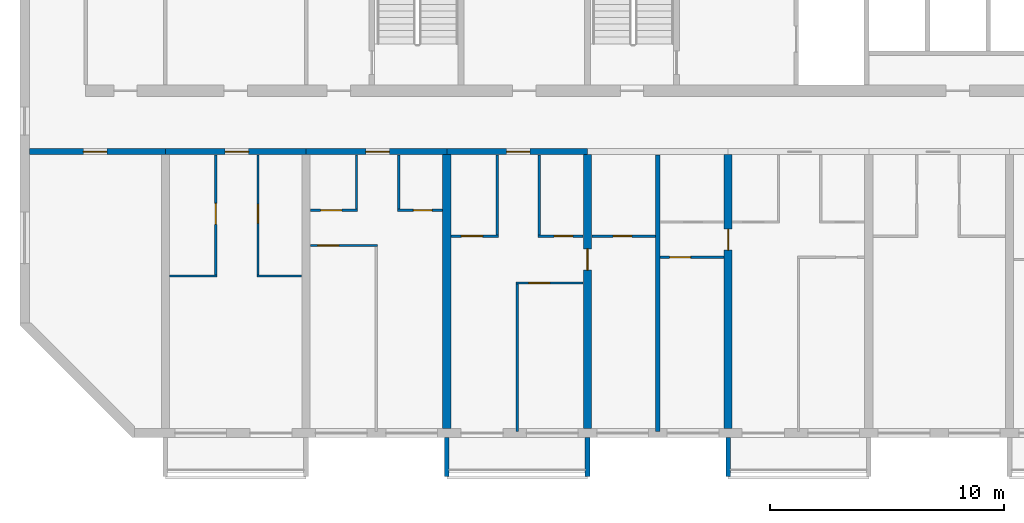
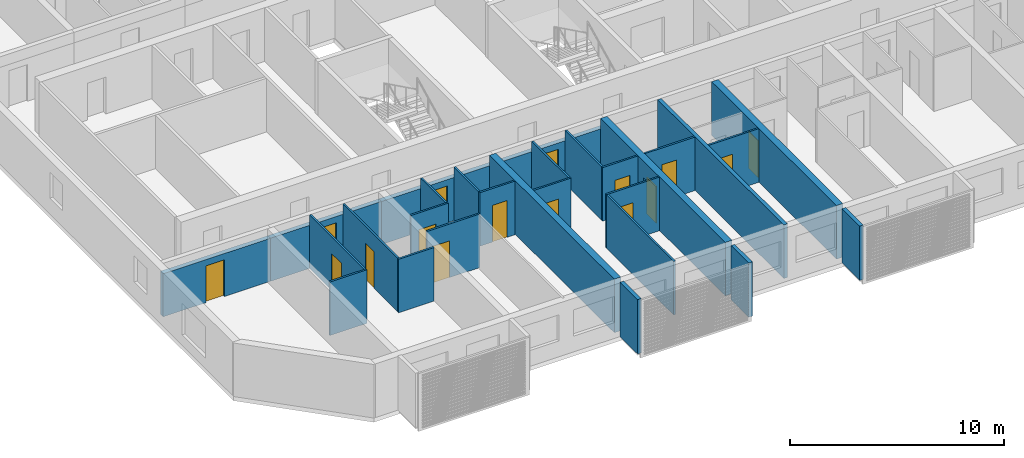
# One storey, part 2 of 29: 28 walls, 16 doors, 16 openings.
"""IFC4 building model written with IfcOpenShell, lengths in metres."""

from ifc_helpers import new_model, si_unit, direction, frame, frame_2d, origin, place, context, subcontext, project, spatial, polyline, rectangle, outline, extrude, source, transform, mapped, material, layer, layer_set, type_object, element, fill, save


model = new_model("IFC4")

# Units and contexts
model_context = context("Model", 3, precision=1e-05, world=origin(), true_north=direction((0.0, 1.0)))
body_context = subcontext(model_context, "Body", "Model", "MODEL_VIEW")
ifc_project = project(units=[si_unit("LENGTHUNIT", "METRE"), si_unit("AREAUNIT", "SQUARE_METRE"), si_unit("VOLUMEUNIT", "CUBIC_METRE"), si_unit("PLANEANGLEUNIT", "RADIAN"), si_unit("MASSUNIT", "GRAM", prefix="KILO")], contexts=[model_context])

# Site, building, storey
site_placement = place(None, origin())
site = spatial("IfcSite", under=ifc_project, at=site_placement, CompositionType="ELEMENT")
building_placement = place(site_placement, origin())
building = spatial("IfcBuilding", under=site, at=building_placement, Name="Poui Terraces", CompositionType="ELEMENT")
storey_placement = place(building_placement, frame((0.0, 0.0, 86.10009765625)))
storey = spatial("IfcBuildingStorey", under=building, at=storey_placement, Name="L23", CompositionType="ELEMENT", Elevation=86.10009765625)

# Wall, opening, door
ifc_material_1 = material(Name="Concrete 65 MPa", Category="concrete")
ifc_layer_1 = layer(ifc_material_1, 0.25)
ifc_layer_set_1 = layer_set([ifc_layer_1], Name="Concrete 65 MPa")
wall_type_1 = type_object("IfcWallType", Name="CORRIDOR WALL 250 65MPa", PredefinedType="SHEAR", material=ifc_layer_set_1)
wall_1_placement = place(storey_placement, frame((6.199951171875, 12.0, 0.0), z_axis=(0.0, 0.0, 1.0), x_axis=(1.0, 0.0, 0.0)))
wall_1 = element("IfcWall", 1, at=wall_1_placement, inside=storey, type_object=wall_type_1, Name="CORRIDOR WALL LINE B BAY 1", PredefinedType="SHEAR", context=body_context, shape_type="SweptSolid", body=[
    extrude(rectangle(XDim=5.800048828125, YDim=0.25, at=frame_2d((2.89990234375, 0.0))), origin(), (0.0, 0.0, 1.0), 2.4599609375),
])
opening_1_placement = place(wall_1_placement, frame((2.300048828125, 0.0, 0.0)))
opening_1 = element("IfcOpeningElement", 2, at=opening_1_placement, cuts=wall_1, Name="Opening D100", PredefinedType="OPENING", context=body_context, shape_type="SweptSolid", body=[
    extrude(rectangle(XDim=1.0, YDim=2.10009765625, at=frame_2d((0.5, 1.050048828125))), frame((0.0, 0.135009765625, 0.0), z_axis=(0.0, -1.0, 0.0), x_axis=(1.0, 0.0, 0.0)), (0.0, 0.0, 1.0), 0.27001953125),
])
ifc_material_2 = material(Name="Solid core timber door", Category="wood")
door_type_1 = type_object("IfcDoorType", Name="ACCESSIBLE INTERNAL DOOR 1000 X 2100", OperationType="NOTDEFINED", PredefinedType="DOOR", material=ifc_material_2)
door_1_placement = place(opening_1_placement, frame((1.0, 0.0, 0.0), z_axis=(0.0, 0.0, 1.0), x_axis=(-1.0, 0.0, 0.0)))
door_1 = element("IfcDoor", 3, at=door_1_placement, inside=storey, type_object=door_type_1, Name="ACCESSIBLE INTERNAL DOOR 085", OperationType="SINGLE_SWING_RIGHT", OverallHeight=2.10009765625, OverallWidth=1.0, PredefinedType="DOOR", context=body_context, shape_type="SweptSolid", body=[
    extrude(rectangle(XDim=1.0, YDim=2.10009765625, at=frame_2d((0.5, 1.050048828125))), frame((0.0, 0.02490234375, 0.0), z_axis=(0.0, -1.0, 0.0), x_axis=(1.0, 0.0, 0.0)), (0.0, 0.0, 1.0), 0.050048828125),
])
fill(opening_1, door_1)

wall_2_placement = place(storey_placement, frame((12.0, 12.0, 0.0), z_axis=(0.0, 0.0, 1.0), x_axis=(1.0, 0.0, 0.0)))
wall_2 = element("IfcWall", 4, at=wall_2_placement, inside=storey, type_object=wall_type_1, Name="CORRIDOR WALL LINE B BAY 2", PredefinedType="SHEAR", context=body_context, shape_type="SweptSolid", body=[
    extrude(rectangle(XDim=6.0, YDim=0.25, at=frame_2d((3.0, 0.0))), origin(), (0.0, 0.0, 1.0), 2.4599609375),
])
opening_2_placement = place(wall_2_placement, frame((2.550048828125, 0.0, 0.0)))
opening_2 = element("IfcOpeningElement", 5, at=opening_2_placement, cuts=wall_2, Name="Opening FD30S", PredefinedType="OPENING", context=body_context, shape_type="SweptSolid", body=[
    extrude(rectangle(XDim=1.0, YDim=2.10009765625, at=frame_2d((0.5, 1.050048828125))), frame((0.0, 0.135009765625, 0.0), z_axis=(0.0, -1.0, 0.0), x_axis=(1.0, 0.0, 0.0)), (0.0, 0.0, 1.0), 0.27001953125),
])
ifc_material_3 = material(Name="Steel fire door", Category="steel")
door_type_2 = type_object("IfcDoorType", Name="FLAT ENTRANCE DOOR 1000 X 2100", OperationType="NOTDEFINED", PredefinedType="DOOR", material=ifc_material_3)
door_2_placement = place(opening_2_placement, frame((1.0, 0.0, 0.0), z_axis=(0.0, 0.0, 1.0), x_axis=(-1.0, 0.0, 0.0)))
door_2 = element("IfcDoor", 6, at=door_2_placement, inside=storey, type_object=door_type_2, Name="FLAT ENTRANCE DOOR 087", OperationType="SINGLE_SWING_LEFT", OverallHeight=2.10009765625, OverallWidth=1.0, PredefinedType="DOOR", context=body_context, shape_type="SweptSolid", body=[
    extrude(rectangle(XDim=1.0, YDim=2.10009765625, at=frame_2d((0.5, 1.050048828125))), frame((0.0, 0.02490234375, 0.0), z_axis=(0.0, -1.0, 0.0), x_axis=(1.0, 0.0, 0.0)), (0.0, 0.0, 1.0), 0.050048828125),
])
fill(opening_2, door_2)

wall_3_placement = place(storey_placement, frame((18.0, 12.0, 0.0), z_axis=(0.0, 0.0, 1.0), x_axis=(1.0, 0.0, 0.0)))
wall_3 = element("IfcWall", 7, at=wall_3_placement, inside=storey, type_object=wall_type_1, Name="CORRIDOR WALL LINE B BAY 3", PredefinedType="SHEAR", context=body_context, shape_type="SweptSolid", body=[
    extrude(rectangle(XDim=6.0, YDim=0.25, at=frame_2d((3.0, 0.0))), origin(), (0.0, 0.0, 1.0), 2.4599609375),
])
opening_3_placement = place(wall_3_placement, frame((2.550048828125, 0.0, 0.0)))
opening_3 = element("IfcOpeningElement", 8, at=opening_3_placement, cuts=wall_3, Name="Opening FD30S", PredefinedType="OPENING", context=body_context, shape_type="SweptSolid", body=[
    extrude(rectangle(XDim=1.0, YDim=2.10009765625, at=frame_2d((0.5, 1.050048828125))), frame((0.0, 0.135009765625, 0.0), z_axis=(0.0, -1.0, 0.0), x_axis=(1.0, 0.0, 0.0)), (0.0, 0.0, 1.0), 0.27001953125),
])
door_3_placement = place(opening_3_placement, frame((1.0, 0.0, 0.0), z_axis=(0.0, 0.0, 1.0), x_axis=(-1.0, 0.0, 0.0)))
door_3 = element("IfcDoor", 9, at=door_3_placement, inside=storey, type_object=door_type_2, Name="FLAT ENTRANCE DOOR 091", OperationType="SINGLE_SWING_LEFT", OverallHeight=2.10009765625, OverallWidth=1.0, PredefinedType="DOOR", context=body_context, shape_type="SweptSolid", body=[
    extrude(rectangle(XDim=1.0, YDim=2.10009765625, at=frame_2d((0.5, 1.050048828125))), frame((0.0, 0.02490234375, 0.0), z_axis=(0.0, -1.0, 0.0), x_axis=(1.0, 0.0, 0.0)), (0.0, 0.0, 1.0), 0.050048828125),
])
fill(opening_3, door_3)

wall_4_placement = place(storey_placement, frame((24.0, 12.0, 0.0), z_axis=(0.0, 0.0, 1.0), x_axis=(1.0, 0.0, 0.0)))
wall_4 = element("IfcWall", 10, at=wall_4_placement, inside=storey, type_object=wall_type_1, Name="CORRIDOR WALL LINE B BAY 4", PredefinedType="SHEAR", context=body_context, shape_type="SweptSolid", body=[
    extrude(rectangle(XDim=6.0, YDim=0.25, at=frame_2d((3.0, 0.0))), origin(), (0.0, 0.0, 1.0), 2.4599609375),
])
opening_4_placement = place(wall_4_placement, frame((2.550048828125, 0.0, 0.0)))
opening_4 = element("IfcOpeningElement", 11, at=opening_4_placement, cuts=wall_4, Name="Opening FD30S", PredefinedType="OPENING", context=body_context, shape_type="SweptSolid", body=[
    extrude(rectangle(XDim=1.0, YDim=2.10009765625, at=frame_2d((0.5, 1.050048828125))), frame((0.0, 0.135009765625, 0.0), z_axis=(0.0, -1.0, 0.0), x_axis=(1.0, 0.0, 0.0)), (0.0, 0.0, 1.0), 0.27001953125),
])
door_4_placement = place(opening_4_placement, frame((1.0, 0.0, 0.0), z_axis=(0.0, 0.0, 1.0), x_axis=(-1.0, 0.0, 0.0)))
door_4 = element("IfcDoor", 12, at=door_4_placement, inside=storey, type_object=door_type_2, Name="FLAT ENTRANCE DOOR 095", OperationType="SINGLE_SWING_LEFT", OverallHeight=2.10009765625, OverallWidth=1.0, PredefinedType="DOOR", context=body_context, shape_type="SweptSolid", body=[
    extrude(rectangle(XDim=1.0, YDim=2.10009765625, at=frame_2d((0.5, 1.050048828125))), frame((0.0, 0.02490234375, 0.0), z_axis=(0.0, -1.0, 0.0), x_axis=(1.0, 0.0, 0.0)), (0.0, 0.0, 1.0), 0.050048828125),
])
fill(opening_4, door_4)

# Wall
ifc_layer_2 = layer(ifc_material_1, 0.35009765625)
ifc_layer_set_2 = layer_set([ifc_layer_2], Name="Concrete 65 MPa")
wall_type_2 = type_object("IfcWallType", Name="CROSS WALL 350 65MPa", PredefinedType="SHEAR", material=ifc_layer_set_2)
wall_5_placement = place(storey_placement, frame((24.0, 0.199951171875, 0.0), z_axis=(0.0, 0.0, 1.0), x_axis=(0.0, 1.0, 0.0)))
element("IfcWall", 13, at=wall_5_placement, inside=storey, type_object=wall_type_2, Name="CROSS WALL LINE 5 SOUTH", PredefinedType="SHEAR", context=body_context, shape_type="SweptSolid", body=[
    extrude(rectangle(XDim=11.675048828125, YDim=0.35009765625, at=frame_2d((5.83740234375, 0.0))), origin(), (0.0, 0.0, 1.0), 3.059814453125),
])

# Wall, opening, door
wall_6_placement = place(storey_placement, frame((30.0, 0.199951171875, 0.0), z_axis=(0.0, 0.0, 1.0), x_axis=(0.0, 1.0, 0.0)))
wall_6 = element("IfcWall", 14, at=wall_6_placement, inside=storey, type_object=wall_type_2, Name="CROSS WALL LINE 6 SOUTH", PredefinedType="SHEAR", context=body_context, shape_type="SweptSolid", body=[
    extrude(rectangle(XDim=11.675048828125, YDim=0.35009765625, at=frame_2d((5.83740234375, 0.0))), origin(), (0.0, 0.0, 1.0), 3.059814453125),
])
opening_5_placement = place(wall_6_placement, frame((6.75, 0.0, 0.0)))
opening_5 = element("IfcOpeningElement", 15, at=opening_5_placement, cuts=wall_6, Name="Opening D90", PredefinedType="OPENING", context=body_context, shape_type="SweptSolid", body=[
    extrude(rectangle(XDim=0.89990234375, YDim=2.10009765625, at=frame_2d((0.449951171875, 1.050048828125))), frame((0.0, 0.18505859375, 0.0), z_axis=(0.0, -1.0, 0.0), x_axis=(1.0, 0.0, 0.0)), (0.0, 0.0, 1.0), 0.3701171875),
])
door_type_3 = type_object("IfcDoorType", Name="INTERNAL DOOR 900 X 2100", OperationType="NOTDEFINED", PredefinedType="DOOR", material=ifc_material_2)
door_5_placement = place(opening_5_placement, frame((0.89990234375, 0.0, 0.0), z_axis=(0.0, 0.0, 1.0), x_axis=(-1.0, 0.0, 0.0)))
door_5 = element("IfcDoor", 16, at=door_5_placement, inside=storey, type_object=door_type_3, Name="INTERNAL DOOR 098", OperationType="SINGLE_SWING_LEFT", OverallHeight=2.10009765625, OverallWidth=0.89990234375, PredefinedType="DOOR", context=body_context, shape_type="SweptSolid", body=[
    extrude(rectangle(XDim=0.89990234375, YDim=2.10009765625, at=frame_2d((0.449951171875, 1.050048828125))), frame((0.0, 0.02490234375, 0.0), z_axis=(0.0, -1.0, 0.0), x_axis=(1.0, 0.0, 0.0)), (0.0, 0.0, 1.0), 0.050048828125),
])
fill(opening_5, door_5)

wall_7_placement = place(storey_placement, frame((36.0, 0.199951171875, 0.0), z_axis=(0.0, 0.0, 1.0), x_axis=(0.0, 1.0, 0.0)))
wall_7 = element("IfcWall", 17, at=wall_7_placement, inside=storey, type_object=wall_type_2, Name="CROSS WALL LINE 7 SOUTH", PredefinedType="SHEAR", context=body_context, shape_type="SweptSolid", body=[
    extrude(rectangle(XDim=11.675048828125, YDim=0.35009765625, at=frame_2d((5.83740234375, 0.0))), origin(), (0.0, 0.0, 1.0), 3.059814453125),
])
opening_6_placement = place(wall_7_placement, frame((7.60009765625, 0.0, 0.0)))
opening_6 = element("IfcOpeningElement", 18, at=opening_6_placement, cuts=wall_7, Name="Opening D90", PredefinedType="OPENING", context=body_context, shape_type="SweptSolid", body=[
    extrude(rectangle(XDim=0.89990234375, YDim=2.10009765625, at=frame_2d((0.449951171875, 1.050048828125))), frame((0.0, 0.18505859375, 0.0), z_axis=(0.0, -1.0, 0.0), x_axis=(1.0, 0.0, 0.0)), (0.0, 0.0, 1.0), 0.3701171875),
])
door_6_placement = place(opening_6_placement, frame((0.89990234375, 0.0, 0.0), z_axis=(0.0, 0.0, 1.0), x_axis=(-1.0, 0.0, 0.0)))
door_6 = element("IfcDoor", 19, at=door_6_placement, inside=storey, type_object=door_type_3, Name="INTERNAL DOOR 101", OperationType="SINGLE_SWING_LEFT", OverallHeight=2.10009765625, OverallWidth=0.89990234375, PredefinedType="DOOR", context=body_context, shape_type="SweptSolid", body=[
    extrude(rectangle(XDim=0.89990234375, YDim=2.10009765625, at=frame_2d((0.449951171875, 1.050048828125))), frame((0.0, 0.02490234375, 0.0), z_axis=(0.0, -1.0, 0.0), x_axis=(1.0, 0.0, 0.0)), (0.0, 0.0, 1.0), 0.050048828125),
])
fill(opening_6, door_6)

ifc_material_4 = material(Name="Plasterboard partition")
ifc_layer_3 = layer(ifc_material_4, 0.10009765625)
ifc_layer_set_3 = layer_set([ifc_layer_3], Name="Plasterboard partition")
wall_type_3 = type_object("IfcWallType", Name="FLAT PARTITION 100", PredefinedType="PARTITIONING", material=ifc_layer_set_3)
wall_8_placement = place(storey_placement, frame((26.949951171875, 6.39990234375, 0.0), z_axis=(0.0, 0.0, 1.0), x_axis=(1.0, 0.0, 0.0)))
wall_8 = element("IfcWall", 20, at=wall_8_placement, inside=storey, type_object=wall_type_3, Name="FLAT PARTITION 100", PredefinedType="PARTITIONING", context=body_context, shape_type="SweptSolid", body=[
    extrude(rectangle(XDim=2.864990234375, YDim=0.10009765625, at=frame_2d((1.4326171875, 0.0))), origin(), (0.0, 0.0, 1.0), 3.059814453125),
])
opening_7_placement = place(wall_8_placement, frame((0.550048828125, 0.0, 0.0)))
opening_7 = element("IfcOpeningElement", 21, at=opening_7_placement, cuts=wall_8, Name="Opening D90", PredefinedType="OPENING", context=body_context, shape_type="SweptSolid", body=[
    extrude(rectangle(XDim=0.89990234375, YDim=2.10009765625, at=frame_2d((0.449951171875, 1.050048828125))), frame((0.0, 0.06005859375, 0.0), z_axis=(0.0, -1.0, 0.0), x_axis=(1.0, 0.0, 0.0)), (0.0, 0.0, 1.0), 0.1201171875),
])
door_7_placement = place(opening_7_placement, origin())
door_7 = element("IfcDoor", 22, at=door_7_placement, inside=storey, type_object=door_type_3, Name="INTERNAL DOOR 096", OperationType="SINGLE_SWING_RIGHT", OverallHeight=2.10009765625, OverallWidth=0.89990234375, PredefinedType="DOOR", context=body_context, shape_type="SweptSolid", body=[
    extrude(rectangle(XDim=0.89990234375, YDim=2.10009765625, at=frame_2d((0.449951171875, 1.050048828125))), frame((0.0, 0.02490234375, 0.0), z_axis=(0.0, -1.0, 0.0), x_axis=(1.0, 0.0, 0.0)), (0.0, 0.0, 1.0), 0.050048828125),
])
fill(opening_7, door_7)

# Walls
wall_9_placement = place(storey_placement, frame((12.18505859375, 6.699951171875, 0.0), z_axis=(0.0, 0.0, 1.0), x_axis=(1.0, 0.0, 0.0)))
element("IfcWall", 23, at=wall_9_placement, inside=storey, type_object=wall_type_3, Name="FLAT PARTITION 100", PredefinedType="PARTITIONING", context=body_context, shape_type="SweptSolid", body=[
    extrude(rectangle(XDim=2.014892578125, YDim=0.10009765625, at=frame_2d((1.00732421875, 0.0))), origin(), (0.0, 0.0, 1.0), 3.059814453125),
])
wall_10_placement = place(storey_placement, frame((15.89990234375, 6.699951171875, 0.0), z_axis=(0.0, 0.0, 1.0), x_axis=(1.0, 0.0, 0.0)))
element("IfcWall", 24, at=wall_10_placement, inside=storey, type_object=wall_type_3, Name="FLAT PARTITION 100", PredefinedType="PARTITIONING", context=body_context, shape_type="SweptSolid", body=[
    extrude(rectangle(XDim=1.9150390625, YDim=0.10009765625, at=frame_2d((0.95751953125, 0.0))), origin(), (0.0, 0.0, 1.0), 3.059814453125),
])

# Wall, opening, door
wall_11_placement = place(storey_placement, frame((33.10009765625, 7.5, 0.0), z_axis=(0.0, 0.0, 1.0), x_axis=(1.0, 0.0, 0.0)))
wall_11 = element("IfcWall", 25, at=wall_11_placement, inside=storey, type_object=wall_type_3, Name="FLAT PARTITION 100", PredefinedType="PARTITIONING", context=body_context, shape_type="SweptSolid", body=[
    extrude(rectangle(XDim=2.71484375, YDim=0.10009765625, at=frame_2d((1.357421875, 0.0))), origin(), (0.0, 0.0, 1.0), 3.059814453125),
])
opening_8_placement = place(wall_11_placement, frame((0.39990234375, 0.0, 0.0)))
opening_8 = element("IfcOpeningElement", 26, at=opening_8_placement, cuts=wall_11, Name="Opening D90", PredefinedType="OPENING", context=body_context, shape_type="SweptSolid", body=[
    extrude(rectangle(XDim=0.89990234375, YDim=2.10009765625, at=frame_2d((0.449951171875, 1.050048828125))), frame((0.0, 0.06005859375, 0.0), z_axis=(0.0, -1.0, 0.0), x_axis=(1.0, 0.0, 0.0)), (0.0, 0.0, 1.0), 0.1201171875),
])
door_8_placement = place(opening_8_placement, frame((0.89990234375, 0.0, 0.0), z_axis=(0.0, 0.0, 1.0), x_axis=(-1.0, 0.0, 0.0)))
door_8 = element("IfcDoor", 27, at=door_8_placement, inside=storey, type_object=door_type_3, Name="INTERNAL DOOR 099", OperationType="SINGLE_SWING_RIGHT", OverallHeight=2.10009765625, OverallWidth=0.89990234375, PredefinedType="DOOR", context=body_context, shape_type="SweptSolid", body=[
    extrude(rectangle(XDim=0.89990234375, YDim=2.10009765625, at=frame_2d((0.449951171875, 1.050048828125))), frame((0.0, 0.02490234375, 0.0), z_axis=(0.0, -1.0, 0.0), x_axis=(1.0, 0.0, 0.0)), (0.0, 0.0, 1.0), 0.050048828125),
])
fill(opening_8, door_8)

wall_12_placement = place(storey_placement, frame((18.18505859375, 8.0, 0.0), z_axis=(0.0, 0.0, 1.0), x_axis=(1.0, 0.0, 0.0)))
wall_12 = element("IfcWall", 28, at=wall_12_placement, inside=storey, type_object=wall_type_3, Name="FLAT PARTITION 100", PredefinedType="PARTITIONING", context=body_context, shape_type="SweptSolid", body=[
    extrude(rectangle(XDim=2.864990234375, YDim=0.10009765625, at=frame_2d((1.4326171875, 0.0))), origin(), (0.0, 0.0, 1.0), 3.059814453125),
])
opening_9_placement = place(wall_12_placement, frame((0.31494140625, 0.0, 0.0)))
opening_9 = element("IfcOpeningElement", 29, at=opening_9_placement, cuts=wall_12, Name="Opening D90", PredefinedType="OPENING", context=body_context, shape_type="SweptSolid", body=[
    extrude(rectangle(XDim=0.89990234375, YDim=2.10009765625, at=frame_2d((0.449951171875, 1.050048828125))), frame((0.0, 0.06005859375, 0.0), z_axis=(0.0, -1.0, 0.0), x_axis=(1.0, 0.0, 0.0)), (0.0, 0.0, 1.0), 0.1201171875),
])
door_9_placement = place(opening_9_placement, origin())
door_9 = element("IfcDoor", 30, at=door_9_placement, inside=storey, type_object=door_type_3, Name="INTERNAL DOOR 089", OperationType="SINGLE_SWING_RIGHT", OverallHeight=2.10009765625, OverallWidth=0.89990234375, PredefinedType="DOOR", context=body_context, shape_type="SweptSolid", body=[
    extrude(rectangle(XDim=0.89990234375, YDim=2.10009765625, at=frame_2d((0.449951171875, 1.050048828125))), frame((0.0, 0.02490234375, 0.0), z_axis=(0.0, -1.0, 0.0), x_axis=(1.0, 0.0, 0.0)), (0.0, 0.0, 1.0), 0.050048828125),
])
fill(opening_9, door_9)

wall_13_placement = place(storey_placement, frame((24.18505859375, 8.39990234375, 0.0), z_axis=(0.0, 0.0, 1.0), x_axis=(1.0, 0.0, 0.0)))
wall_13 = element("IfcWall", 31, at=wall_13_placement, inside=storey, type_object=wall_type_3, Name="FLAT PARTITION 100", PredefinedType="PARTITIONING", context=body_context, shape_type="SweptSolid", body=[
    extrude(rectangle(XDim=2.014892578125, YDim=0.10009765625, at=frame_2d((1.00732421875, 0.0))), origin(), (0.0, 0.0, 1.0), 3.059814453125),
])
opening_10_placement = place(wall_13_placement, frame((0.43994140625, 0.0, 0.0)))
opening_10 = element("IfcOpeningElement", 32, at=opening_10_placement, cuts=wall_13, Name="Opening D90", PredefinedType="OPENING", context=body_context, shape_type="SweptSolid", body=[
    extrude(rectangle(XDim=0.89990234375, YDim=2.10009765625, at=frame_2d((0.449951171875, 1.050048828125))), frame((0.0, 0.06005859375, 0.0), z_axis=(0.0, -1.0, 0.0), x_axis=(1.0, 0.0, 0.0)), (0.0, 0.0, 1.0), 0.1201171875),
])
door_10_placement = place(opening_10_placement, origin())
door_10 = element("IfcDoor", 33, at=door_10_placement, inside=storey, type_object=door_type_3, Name="INTERNAL DOOR 094", OperationType="SINGLE_SWING_RIGHT", OverallHeight=2.10009765625, OverallWidth=0.89990234375, PredefinedType="DOOR", context=body_context, shape_type="SweptSolid", body=[
    extrude(rectangle(XDim=0.89990234375, YDim=2.10009765625, at=frame_2d((0.449951171875, 1.050048828125))), frame((0.0, 0.02490234375, 0.0), z_axis=(0.0, -1.0, 0.0), x_axis=(1.0, 0.0, 0.0)), (0.0, 0.0, 1.0), 0.050048828125),
])
fill(opening_10, door_10)

wall_14_placement = place(storey_placement, frame((27.89990234375, 8.39990234375, 0.0), z_axis=(0.0, 0.0, 1.0), x_axis=(1.0, 0.0, 0.0)))
wall_14 = element("IfcWall", 34, at=wall_14_placement, inside=storey, type_object=wall_type_3, Name="FLAT PARTITION 100", PredefinedType="PARTITIONING", context=body_context, shape_type="SweptSolid", body=[
    extrude(rectangle(XDim=1.9150390625, YDim=0.10009765625, at=frame_2d((0.95751953125, 0.0))), origin(), (0.0, 0.0, 1.0), 3.059814453125),
])
opening_11_placement = place(wall_14_placement, frame((0.675048828125, 0.0, 0.0)))
opening_11 = element("IfcOpeningElement", 35, at=opening_11_placement, cuts=wall_14, Name="Opening D80", PredefinedType="OPENING", context=body_context, shape_type="SweptSolid", body=[
    extrude(rectangle(XDim=0.800048828125, YDim=2.10009765625, at=frame_2d((0.39990234375, 1.050048828125))), frame((0.0, 0.06005859375, 0.0), z_axis=(0.0, -1.0, 0.0), x_axis=(1.0, 0.0, 0.0)), (0.0, 0.0, 1.0), 0.1201171875),
])
door_type_4 = type_object("IfcDoorType", Name="BATHROOM, LAUNDRY AND STORE DOOR 800 X 2100", OperationType="NOTDEFINED", PredefinedType="DOOR", material=ifc_material_2)
door_11_placement = place(opening_11_placement, origin())
door_11 = element("IfcDoor", 36, at=door_11_placement, inside=storey, type_object=door_type_4, Name="BATHROOM, LAUNDRY AND STORE DOOR 097", OperationType="SINGLE_SWING_LEFT", OverallHeight=2.10009765625, OverallWidth=0.800048828125, PredefinedType="DOOR", context=body_context, shape_type="SweptSolid", body=[
    extrude(rectangle(XDim=0.800048828125, YDim=2.10009765625, at=frame_2d((0.39990234375, 1.050048828125))), frame((0.0, 0.02490234375, 0.0), z_axis=(0.0, -1.0, 0.0), x_axis=(1.0, 0.0, 0.0)), (0.0, 0.0, 1.0), 0.050048828125),
])
fill(opening_11, door_11)

wall_15_placement = place(storey_placement, frame((30.18505859375, 8.39990234375, 0.0), z_axis=(0.0, 0.0, 1.0), x_axis=(1.0, 0.0, 0.0)))
wall_15 = element("IfcWall", 37, at=wall_15_placement, inside=storey, type_object=wall_type_3, Name="FLAT PARTITION 100", PredefinedType="PARTITIONING", context=body_context, shape_type="SweptSolid", body=[
    extrude(rectangle(XDim=2.71484375, YDim=0.10009765625, at=frame_2d((1.357421875, 0.0))), origin(), (0.0, 0.0, 1.0), 3.059814453125),
])
opening_12_placement = place(wall_15_placement, frame((0.9150390625, 0.0, 0.0)))
opening_12 = element("IfcOpeningElement", 38, at=opening_12_placement, cuts=wall_15, Name="Opening D80", PredefinedType="OPENING", context=body_context, shape_type="SweptSolid", body=[
    extrude(rectangle(XDim=0.800048828125, YDim=2.10009765625, at=frame_2d((0.39990234375, 1.050048828125))), frame((0.0, 0.06005859375, 0.0), z_axis=(0.0, -1.0, 0.0), x_axis=(1.0, 0.0, 0.0)), (0.0, 0.0, 1.0), 0.1201171875),
])
door_12_placement = place(opening_12_placement, origin())
door_12 = element("IfcDoor", 39, at=door_12_placement, inside=storey, type_object=door_type_4, Name="BATHROOM, LAUNDRY AND STORE DOOR 093", OperationType="SINGLE_SWING_RIGHT", OverallHeight=2.10009765625, OverallWidth=0.800048828125, PredefinedType="DOOR", context=body_context, shape_type="SweptSolid", body=[
    extrude(rectangle(XDim=0.800048828125, YDim=2.10009765625, at=frame_2d((0.39990234375, 1.050048828125))), frame((0.0, 0.02490234375, 0.0), z_axis=(0.0, -1.0, 0.0), x_axis=(1.0, 0.0, 0.0)), (0.0, 0.0, 1.0), 0.050048828125),
])
fill(opening_12, door_12)

wall_16_placement = place(storey_placement, frame((18.18505859375, 9.5, 0.0), z_axis=(0.0, 0.0, 1.0), x_axis=(1.0, 0.0, 0.0)))
wall_16 = element("IfcWall", 40, at=wall_16_placement, inside=storey, type_object=wall_type_3, Name="FLAT PARTITION 100", PredefinedType="PARTITIONING", context=body_context, shape_type="SweptSolid", body=[
    extrude(rectangle(XDim=2.014892578125, YDim=0.10009765625, at=frame_2d((1.00732421875, 0.0))), origin(), (0.0, 0.0, 1.0), 3.059814453125),
])
opening_13_placement = place(wall_16_placement, frame((0.43994140625, 0.0, 0.0)))
opening_13 = element("IfcOpeningElement", 41, at=opening_13_placement, cuts=wall_16, Name="Opening D90", PredefinedType="OPENING", context=body_context, shape_type="SweptSolid", body=[
    extrude(rectangle(XDim=0.89990234375, YDim=2.10009765625, at=frame_2d((0.449951171875, 1.050048828125))), frame((0.0, 0.06005859375, 0.0), z_axis=(0.0, -1.0, 0.0), x_axis=(1.0, 0.0, 0.0)), (0.0, 0.0, 1.0), 0.1201171875),
])
door_13_placement = place(opening_13_placement, origin())
door_13 = element("IfcDoor", 42, at=door_13_placement, inside=storey, type_object=door_type_3, Name="INTERNAL DOOR 090", OperationType="SINGLE_SWING_LEFT", OverallHeight=2.10009765625, OverallWidth=0.89990234375, PredefinedType="DOOR", context=body_context, shape_type="SweptSolid", body=[
    extrude(rectangle(XDim=0.89990234375, YDim=2.10009765625, at=frame_2d((0.449951171875, 1.050048828125))), frame((0.0, 0.02490234375, 0.0), z_axis=(0.0, -1.0, 0.0), x_axis=(1.0, 0.0, 0.0)), (0.0, 0.0, 1.0), 0.050048828125),
])
fill(opening_13, door_13)

wall_17_placement = place(storey_placement, frame((21.89990234375, 9.5, 0.0), z_axis=(0.0, 0.0, 1.0), x_axis=(1.0, 0.0, 0.0)))
wall_17 = element("IfcWall", 43, at=wall_17_placement, inside=storey, type_object=wall_type_3, Name="FLAT PARTITION 100", PredefinedType="PARTITIONING", context=body_context, shape_type="SweptSolid", body=[
    extrude(rectangle(XDim=1.9150390625, YDim=0.10009765625, at=frame_2d((0.95751953125, 0.0))), origin(), (0.0, 0.0, 1.0), 3.059814453125),
])
opening_14_placement = place(wall_17_placement, frame((0.675048828125, 0.0, 0.0)))
opening_14 = element("IfcOpeningElement", 44, at=opening_14_placement, cuts=wall_17, Name="Opening D80", PredefinedType="OPENING", context=body_context, shape_type="SweptSolid", body=[
    extrude(rectangle(XDim=0.800048828125, YDim=2.10009765625, at=frame_2d((0.39990234375, 1.050048828125))), frame((0.0, 0.06005859375, 0.0), z_axis=(0.0, -1.0, 0.0), x_axis=(1.0, 0.0, 0.0)), (0.0, 0.0, 1.0), 0.1201171875),
])
door_14_placement = place(opening_14_placement, origin())
door_14 = element("IfcDoor", 45, at=door_14_placement, inside=storey, type_object=door_type_4, Name="BATHROOM, LAUNDRY AND STORE DOOR 092", OperationType="SINGLE_SWING_RIGHT", OverallHeight=2.10009765625, OverallWidth=0.800048828125, PredefinedType="DOOR", context=body_context, shape_type="SweptSolid", body=[
    extrude(rectangle(XDim=0.800048828125, YDim=2.10009765625, at=frame_2d((0.39990234375, 1.050048828125))), frame((0.0, 0.02490234375, 0.0), z_axis=(0.0, -1.0, 0.0), x_axis=(1.0, 0.0, 0.0)), (0.0, 0.0, 1.0), 0.050048828125),
])
fill(opening_14, door_14)

wall_18_placement = place(storey_placement, frame((14.14990234375, 6.75, 0.0), z_axis=(0.0, 0.0, 1.0), x_axis=(0.0, 1.0, 0.0)))
wall_18 = element("IfcWall", 46, at=wall_18_placement, inside=storey, type_object=wall_type_3, Name="FLAT PARTITION 100", PredefinedType="PARTITIONING", context=body_context, shape_type="SweptSolid", body=[
    extrude(rectangle(XDim=5.114990234375, YDim=0.10009765625, at=frame_2d((2.5576171875, 0.0))), origin(), (0.0, 0.0, 1.0), 3.059814453125),
])
opening_15_placement = place(wall_18_placement, frame((2.14990234375, 0.0, 0.0)))
opening_15 = element("IfcOpeningElement", 47, at=opening_15_placement, cuts=wall_18, Name="Opening D90", PredefinedType="OPENING", context=body_context, shape_type="SweptSolid", body=[
    extrude(rectangle(XDim=0.89990234375, YDim=2.10009765625, at=frame_2d((0.449951171875, 1.050048828125))), frame((0.0, 0.06005859375, 0.0), z_axis=(0.0, -1.0, 0.0), x_axis=(1.0, 0.0, 0.0)), (0.0, 0.0, 1.0), 0.1201171875),
])
door_15_placement = place(opening_15_placement, origin())
door_15 = element("IfcDoor", 48, at=door_15_placement, inside=storey, type_object=door_type_3, Name="INTERNAL DOOR 086", OperationType="SINGLE_SWING_LEFT", OverallHeight=2.10009765625, OverallWidth=0.89990234375, PredefinedType="DOOR", context=body_context, shape_type="SweptSolid", body=[
    extrude(rectangle(XDim=0.89990234375, YDim=2.10009765625, at=frame_2d((0.449951171875, 1.050048828125))), frame((0.0, 0.02490234375, 0.0), z_axis=(0.0, -1.0, 0.0), x_axis=(1.0, 0.0, 0.0)), (0.0, 0.0, 1.0), 0.050048828125),
])
fill(opening_15, door_15)

wall_19_placement = place(storey_placement, frame((15.949951171875, 6.75, 0.0), z_axis=(0.0, 0.0, 1.0), x_axis=(0.0, 1.0, 0.0)))
wall_19 = element("IfcWall", 49, at=wall_19_placement, inside=storey, type_object=wall_type_3, Name="FLAT PARTITION 100", PredefinedType="PARTITIONING", context=body_context, shape_type="SweptSolid", body=[
    extrude(rectangle(XDim=5.114990234375, YDim=0.10009765625, at=frame_2d((2.5576171875, 0.0))), origin(), (0.0, 0.0, 1.0), 3.059814453125),
])
opening_16_placement = place(wall_19_placement, frame((2.199951171875, 0.0, 0.0)))
opening_16 = element("IfcOpeningElement", 50, at=opening_16_placement, cuts=wall_19, Name="Opening D80", PredefinedType="OPENING", context=body_context, shape_type="SweptSolid", body=[
    extrude(rectangle(XDim=0.800048828125, YDim=2.10009765625, at=frame_2d((0.39990234375, 1.050048828125))), frame((0.0, 0.06005859375, 0.0), z_axis=(0.0, -1.0, 0.0), x_axis=(1.0, 0.0, 0.0)), (0.0, 0.0, 1.0), 0.1201171875),
])
door_16_placement = place(opening_16_placement, frame((0.800048828125, 0.0, 0.0), z_axis=(0.0, 0.0, 1.0), x_axis=(-1.0, 0.0, 0.0)))
door_16 = element("IfcDoor", 51, at=door_16_placement, inside=storey, type_object=door_type_4, Name="BATHROOM, LAUNDRY AND STORE DOOR 088", OperationType="SINGLE_SWING_LEFT", OverallHeight=2.10009765625, OverallWidth=0.800048828125, PredefinedType="DOOR", context=body_context, shape_type="SweptSolid", body=[
    extrude(rectangle(XDim=0.800048828125, YDim=2.10009765625, at=frame_2d((0.39990234375, 1.050048828125))), frame((0.0, 0.02490234375, 0.0), z_axis=(0.0, -1.0, 0.0), x_axis=(1.0, 0.0, 0.0)), (0.0, 0.0, 1.0), 0.050048828125),
])
fill(opening_16, door_16)

# Walls
for number, where, z_axis, x_axis, name in (
    (52, (20.14990234375, 9.550048828125, 0.0), (0.0, 0.0, 1.0), (0.0, 1.0, 0.0), "FLAT PARTITION 100"),
    (53, (21.949951171875, 9.550048828125, 0.0), (0.0, 0.0, 1.0), (0.0, 1.0, 0.0), "FLAT PARTITION 100"),
):
    element("IfcWall", number, at=place(storey_placement, frame(where, z_axis=z_axis, x_axis=x_axis)), inside=storey, type_object=wall_type_3, Name=name, PredefinedType="PARTITIONING", context=body_context, shape_type="SweptSolid", body=[
        extrude(rectangle(XDim=2.31494140625, YDim=0.10009765625, at=frame_2d((1.157470703125, 0.0))), origin(), (0.0, 0.0, 1.0), 3.059814453125),
    ])
wall_20_placement = place(storey_placement, frame((26.14990234375, 8.449951171875, 0.0), z_axis=(0.0, 0.0, 1.0), x_axis=(0.0, 1.0, 0.0)))
element("IfcWall", 54, at=wall_20_placement, inside=storey, type_object=wall_type_3, Name="FLAT PARTITION 100", PredefinedType="PARTITIONING", context=body_context, shape_type="SweptSolid", body=[
    extrude(rectangle(XDim=3.4150390625, YDim=0.10009765625, at=frame_2d((1.70751953125, 0.0))), origin(), (0.0, 0.0, 1.0), 3.059814453125),
])
wall_21_placement = place(storey_placement, frame((27.0, 0.06005859375, 0.0), z_axis=(0.0, 0.0, 1.0), x_axis=(0.0, 1.0, 0.0)))
element("IfcWall", 55, at=wall_21_placement, inside=storey, type_object=wall_type_3, Name="FLAT PARTITION 100", PredefinedType="PARTITIONING", context=body_context, shape_type="SweptSolid", body=[
    extrude(rectangle(XDim=6.2900390625, YDim=0.10009765625, at=frame_2d((3.14501953125, 0.0))), origin(), (0.0, 0.0, 1.0), 3.059814453125),
])
wall_22_placement = place(storey_placement, frame((27.949951171875, 8.449951171875, 0.0), z_axis=(0.0, 0.0, 1.0), x_axis=(0.0, 1.0, 0.0)))
element("IfcWall", 56, at=wall_22_placement, inside=storey, type_object=wall_type_3, Name="FLAT PARTITION 100", PredefinedType="PARTITIONING", context=body_context, shape_type="SweptSolid", body=[
    extrude(rectangle(XDim=3.4150390625, YDim=0.10009765625, at=frame_2d((1.70751953125, 0.0))), origin(), (0.0, 0.0, 1.0), 3.059814453125),
])
ifc_material_5 = material(Name="Fire-rated masonry wall", Category="masonry")
ifc_layer_4 = layer(ifc_material_5, 0.199951171875)
ifc_layer_set_4 = layer_set([ifc_layer_4], Name="Fire-rated masonry wall")
wall_type_4 = type_object("IfcWallType", Name="FLAT PARTY WALL 200", PredefinedType="PARTITIONING", material=ifc_layer_set_4)
wall_23_placement = place(storey_placement, frame((33.0, 0.06005859375, 0.0), z_axis=(0.0, 0.0, 1.0), x_axis=(0.0, 1.0, 0.0)))
element("IfcWall", 57, at=wall_23_placement, inside=storey, type_object=wall_type_4, Name="FLAT PARTY WALL 200", PredefinedType="PARTITIONING", context=body_context, shape_type="SweptSolid", body=[
    extrude(rectangle(XDim=11.804931640625, YDim=0.199951171875, at=frame_2d((5.90234375, 0.0))), origin(), (0.0, 0.0, 1.0), 3.059814453125),
])
ifc_material_6 = material(Name="Precast concrete 40 MPa", Category="concrete")
ifc_layer_5 = layer(ifc_material_6, 0.199951171875)
ifc_layer_set_5 = layer_set([ifc_layer_5], Name="Precast concrete 40 MPa")
wall_type_5 = type_object("IfcWallType", Name="REAR FIN 200", PredefinedType="STANDARD", material=ifc_layer_set_5)
shared_shape = source(origin(), body_context, "Body", "SweptSolid", [
    extrude(outline(polyline([(0.0, 0.0), (0.2001953125, 0.0), (0.2001953125, 1.650146484375), (0.0, 1.650146484375), (0.0, 0.0)])), origin(), (0.0, 0.0, 1.0), 3.099853515625),
])
for number, where, name in (
    (58, (23.89990234375, -1.85009765625, 0.0), "REAR FIN"),
    (59, (29.89990234375, -1.85009765625, 0.0), "REAR FIN"),
    (60, (35.89990234375, -1.85009765625, 0.0), "REAR FIN"),
):
    element("IfcWall", number, at=place(storey_placement, frame(where)), inside=storey, type_object=wall_type_5, Name=name, PredefinedType="STANDARD", context=body_context, shape_type="MappedRepresentation", body=[
        mapped(shared_shape, transform((0.0, 0.0, 0.0))),
    ])

save(model, "model.ifc")
